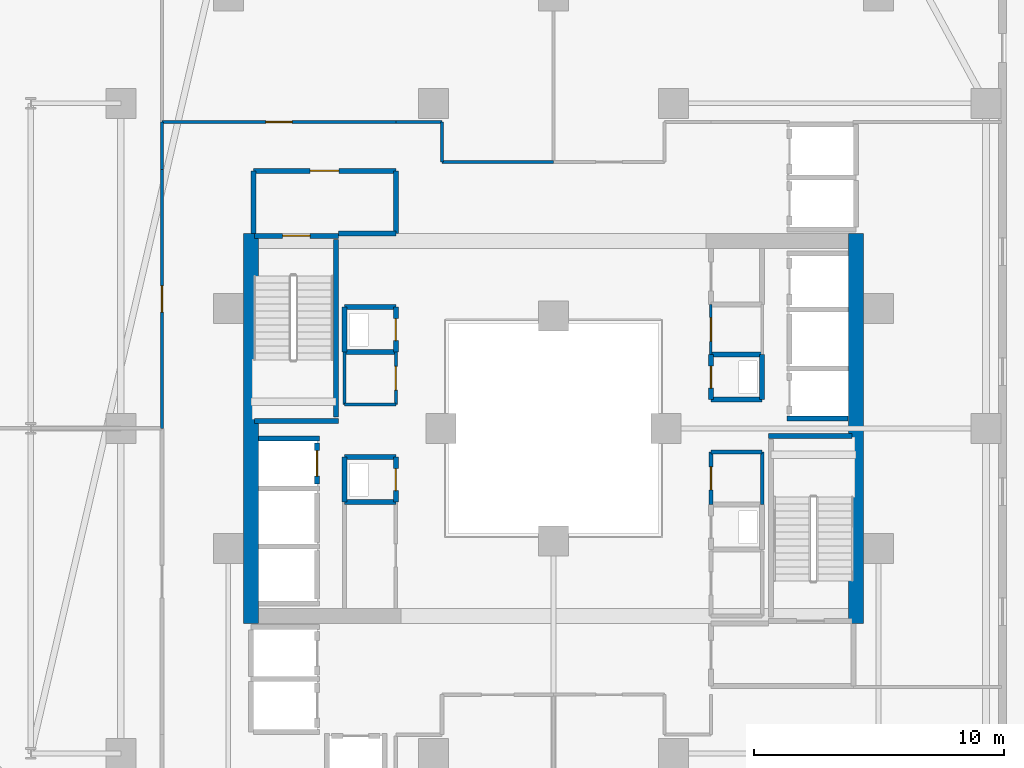
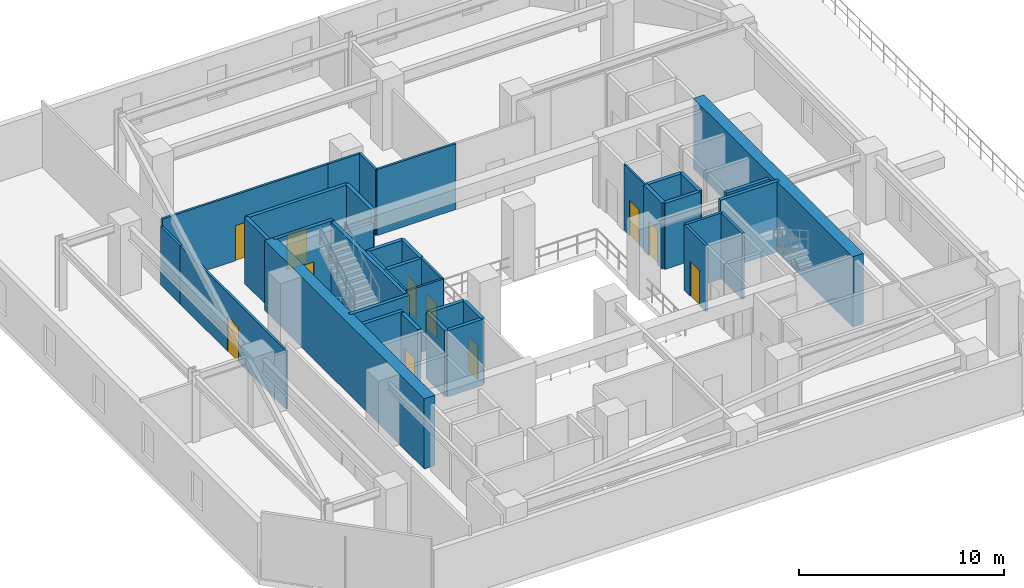
# One storey, part 21 of 30: 38 walls, 11 doors, 11 openings.
"""IFC4 building model written with IfcOpenShell, lengths in metres."""

from ifc_helpers import new_model, si_unit, direction, frame, frame_2d, origin, place, context, subcontext, project, spatial, rectangle, extrude, material, layer, layer_set, type_object, element, fill, save


model = new_model("IFC4")

# Units and contexts
model_context = context("Model", 3, precision=1e-05, world=origin(), true_north=direction((0.0, 1.0)))
body_context = subcontext(model_context, "Body", "Model", "MODEL_VIEW")
ifc_project = project(units=[si_unit("LENGTHUNIT", "METRE"), si_unit("AREAUNIT", "SQUARE_METRE"), si_unit("VOLUMEUNIT", "CUBIC_METRE"), si_unit("PLANEANGLEUNIT", "RADIAN"), si_unit("MASSUNIT", "GRAM", prefix="KILO")], contexts=[model_context])

# Site, building, storey
site_placement = place(None, origin())
site = spatial("IfcSite", under=ifc_project, at=site_placement, CompositionType="ELEMENT")
building_placement = place(site_placement, origin())
building = spatial("IfcBuilding", under=site, at=building_placement, Name="Thornwick Lancets Civic Towers", CompositionType="ELEMENT")
storey_placement = place(building_placement, frame((0.0, 0.0, 75.89990234375)))
storey = spatial("IfcBuildingStorey", under=building, at=storey_placement, Name="L19", CompositionType="ELEMENT", Elevation=75.89990234375)

# Wall, opening, door
ifc_material_1 = material(Name="Concrete blockwork C40/50", Category="masonry")
ifc_layer_1 = layer(ifc_material_1, 0.199951171875, Name="Concrete blockwork C40/50")
ifc_layer_set_1 = layer_set([ifc_layer_1], Name="Concrete blockwork C40/50")
wall_type_1 = type_object("IfcWallType", Name="WALL_COMP_200", PredefinedType="STANDARD", material=ifc_layer_set_1)
wall_1_placement = place(storey_placement, frame((79.050048828125, 24.780029296875, 0.0), z_axis=(0.0, 0.0, 1.0), x_axis=(0.0, 1.0, 0.0)))
wall_1 = element("IfcWall", 1, at=wall_1_placement, inside=storey, type_object=wall_type_1, Name="L19 Hoistway Front Wall FL-B2", PredefinedType="STANDARD", context=body_context, shape_type="SweptSolid", body=[
    extrude(rectangle(XDim=1.639892578125, YDim=0.199951171875, at=frame_2d((0.81982421875, 0.0))), origin(), (0.0, 0.0, 1.0), 3.940185546875),
])
opening_1_placement = place(wall_1_placement, frame((0.31005859375, 0.0, 0.0)))
opening_1 = element("IfcOpeningElement", 2, at=opening_1_placement, cuts=wall_1, Name="Opening LD-FL-B2", PredefinedType="OPENING", context=body_context, shape_type="SweptSolid", body=[
    extrude(rectangle(XDim=1.02001953125, YDim=2.06005859375, at=frame_2d((0.510009765625, 1.030029296875))), frame((0.0, 0.10986328125, 0.0), z_axis=(0.0, -1.0, 0.0), x_axis=(1.0, 0.0, 0.0)), (0.0, 0.0, 1.0), 0.219970703125),
])
ifc_material_2 = material(Name="Brushed bronze stainless steel", Category="steel")
door_type_1 = type_object("IfcDoorType", Name="DOOR_LIFT_SLIDE", OperationType="SLIDING_TO_LEFT", PredefinedType="DOOR", material=ifc_material_2)
door_1_placement = place(opening_1_placement, origin())
door_1 = element("IfcDoor", 3, at=door_1_placement, inside=storey, type_object=door_type_1, Name="L19 Sliding Lift Landing Door LD-FL-B2", OperationType="SLIDING_TO_LEFT", OverallHeight=2.06005859375, OverallWidth=1.02001953125, PredefinedType="DOOR", context=body_context, shape_type="SweptSolid", body=[
    extrude(rectangle(XDim=1.02001953125, YDim=2.06005859375, at=frame_2d((0.510009765625, 1.030029296875))), frame((0.0, 0.02490234375, 0.0), z_axis=(0.0, -1.0, 0.0), x_axis=(1.0, 0.0, 0.0)), (0.0, 0.0, 1.0), 0.050048828125),
])
fill(opening_1, door_1)

# Walls
for number, where, z_axis, x_axis, name in (
    (4, (97.85205078125, 27.39990234375, 0.0), (0.0, 0.0, 1.0), (1.0, 0.0, 0.0), "L19 Hoistway Shaft Wall FL-B1 S"),
    (5, (76.7119140625, 26.60009765625, 0.0), (0.0, 0.0, 1.0), (1.0, 0.0, 0.0), "L19 Hoistway Shaft Wall FL-B2 N"),
):
    element("IfcWall", number, at=place(storey_placement, frame(where, z_axis=z_axis, x_axis=x_axis)), inside=storey, type_object=wall_type_1, Name=name, PredefinedType="STANDARD", context=body_context, shape_type="SweptSolid", body=[
        extrude(rectangle(XDim=2.43603515625, YDim=0.199951171875, at=frame_2d((1.218017578125, 0.0))), origin(), (0.0, 0.0, 1.0), 3.940185546875),
    ])
wall_2_placement = place(storey_placement, frame((79.89990234375, 34.800048828125, 0.0), z_axis=(0.0, 0.0, 1.0), x_axis=(1.0, 0.0, 0.0)))
element("IfcWall", 6, at=wall_2_placement, inside=storey, type_object=wall_type_1, Name="L19 Partition L19-B-FFLOB2 E1", PredefinedType="STANDARD", context=body_context, shape_type="SweptSolid", body=[
    extrude(rectangle(XDim=2.300048828125, YDim=0.199951171875, at=frame_2d((1.14990234375, 0.0))), origin(), (0.0, 0.0, 1.0), 3.14501953125),
])
wall_3_placement = place(storey_placement, frame((82.199951171875, 34.800048828125, 0.0), z_axis=(0.0, 0.0, 1.0), x_axis=(0.0, 1.0, 0.0)))
element("IfcWall", 7, at=wall_3_placement, inside=storey, type_object=wall_type_1, Name="L19 Partition L19-B-FFLOB2 E2", PredefinedType="STANDARD", context=body_context, shape_type="SweptSolid", body=[
    extrude(rectangle(XDim=2.5, YDim=0.199951171875, at=frame_2d((1.25, 0.0))), origin(), (0.0, 0.0, 1.0), 3.940185546875),
])

# Wall, opening, door
wall_4_placement = place(storey_placement, frame((82.199951171875, 37.300048828125, 0.0), z_axis=(0.0, 0.0, 1.0), x_axis=(-1.0, 0.0, 0.0)))
wall_4 = element("IfcWall", 8, at=wall_4_placement, inside=storey, type_object=wall_type_1, Name="L19 Partition L19-B-FFLOB2 E3", PredefinedType="STANDARD", context=body_context, shape_type="SweptSolid", body=[
    extrude(rectangle(XDim=5.699951171875, YDim=0.199951171875, at=frame_2d((2.85009765625, 0.0))), origin(), (0.0, 0.0, 1.0), 3.940185546875),
])
opening_2_placement = place(wall_4_placement, frame((2.27490234375, 0.0, 0.0)))
opening_2 = element("IfcOpeningElement", 9, at=opening_2_placement, cuts=wall_4, Name="Opening D-L19-0904", PredefinedType="OPENING", context=body_context, shape_type="SweptSolid", body=[
    extrude(rectangle(XDim=1.14990234375, YDim=2.10009765625, at=frame_2d((0.574951171875, 1.050048828125))), frame((0.0, 0.10986328125, 0.0), z_axis=(0.0, -1.0, 0.0), x_axis=(1.0, 0.0, 0.0)), (0.0, 0.0, 1.0), 0.219970703125),
])
ifc_material_3 = material(Name="Glazed fire-resisting steel", Category="steel")
door_type_2 = type_object("IfcDoorType", Name="DOOR_LOBBY_FD60", OperationType="NOTDEFINED", PredefinedType="DOOR", material=ifc_material_3)
door_2_placement = place(opening_2_placement, origin())
door_2 = element("IfcDoor", 10, at=door_2_placement, inside=storey, type_object=door_type_2, Name="L19 West Firefighting Lobby 2 Door", OperationType="SINGLE_SWING_LEFT", OverallHeight=2.10009765625, OverallWidth=1.14990234375, PredefinedType="DOOR", context=body_context, shape_type="SweptSolid", body=[
    extrude(rectangle(XDim=1.14990234375, YDim=2.10009765625, at=frame_2d((0.574951171875, 1.050048828125))), frame((0.0, 0.02490234375, 0.0), z_axis=(0.0, -1.0, 0.0), x_axis=(1.0, 0.0, 0.0)), (0.0, 0.0, 1.0), 0.050048828125),
])
fill(opening_2, door_2)

# Walls
wall_5_placement = place(storey_placement, frame((76.5, 37.300048828125, 0.0), z_axis=(0.0, 0.0, 1.0), x_axis=(0.0, -1.0, 0.0)))
element("IfcWall", 11, at=wall_5_placement, inside=storey, type_object=wall_type_1, Name="L19 Partition L19-B-FFLOB2 E4", PredefinedType="STANDARD", context=body_context, shape_type="SweptSolid", body=[
    extrude(rectangle(XDim=2.5, YDim=0.199951171875, at=frame_2d((1.25, 0.0))), origin(), (0.0, 0.0, 1.0), 3.940185546875),
])
wall_6_placement = place(storey_placement, frame((94.800048828125, 28.14990234375, 0.0), z_axis=(0.0, 0.0, 1.0), x_axis=(1.0, 0.0, 0.0)))
element("IfcWall", 12, at=wall_6_placement, inside=storey, type_object=wall_type_1, Name="L19 Partition L19-B-DUCT1 E1", PredefinedType="STANDARD", context=body_context, shape_type="SweptSolid", body=[
    extrude(rectangle(XDim=2.050048828125, YDim=0.199951171875, at=frame_2d((1.02490234375, 0.0))), origin(), (0.0, 0.0, 1.0), 3.940185546875),
])
wall_7_placement = place(storey_placement, frame((96.85009765625, 28.14990234375, 0.0), z_axis=(0.0, 0.0, 1.0), x_axis=(0.0, 1.0, 0.0)))
element("IfcWall", 13, at=wall_7_placement, inside=storey, type_object=wall_type_1, Name="L19 Partition L19-B-DUCT1 E2", PredefinedType="STANDARD", context=body_context, shape_type="SweptSolid", body=[
    extrude(rectangle(XDim=1.800048828125, YDim=0.199951171875, at=frame_2d((0.89990234375, 0.0))), origin(), (0.0, 0.0, 1.0), 3.940185546875),
])
wall_8_placement = place(storey_placement, frame((96.85009765625, 29.949951171875, 0.0), z_axis=(0.0, 0.0, 1.0), x_axis=(-1.0, 0.0, 0.0)))
element("IfcWall", 14, at=wall_8_placement, inside=storey, type_object=wall_type_1, Name="L19 Partition L19-B-DUCT1 E3", PredefinedType="STANDARD", context=body_context, shape_type="SweptSolid", body=[
    extrude(rectangle(XDim=2.050048828125, YDim=0.199951171875, at=frame_2d((1.02490234375, 0.0))), origin(), (0.0, 0.0, 1.0), 3.940185546875),
])

# Wall, opening, door
wall_9_placement = place(storey_placement, frame((94.800048828125, 29.949951171875, 0.0), z_axis=(0.0, 0.0, 1.0), x_axis=(0.0, -1.0, 0.0)))
wall_9 = element("IfcWall", 15, at=wall_9_placement, inside=storey, type_object=wall_type_1, Name="L19 Partition L19-B-DUCT1 E4", PredefinedType="STANDARD", context=body_context, shape_type="SweptSolid", body=[
    extrude(rectangle(XDim=1.800048828125, YDim=0.199951171875, at=frame_2d((0.89990234375, 0.0))), origin(), (0.0, 0.0, 1.0), 3.940185546875),
])
opening_3_placement = place(wall_9_placement, frame((0.4599609375, 0.0, 0.0)))
opening_3 = element("IfcOpeningElement", 16, at=opening_3_placement, cuts=wall_9, Name="Opening D-L19-0905", PredefinedType="OPENING", context=body_context, shape_type="SweptSolid", body=[
    extrude(rectangle(XDim=0.8798828125, YDim=2.0400390625, at=frame_2d((0.43994140625, 1.02001953125))), frame((0.0, 0.10986328125, 0.0), z_axis=(0.0, -1.0, 0.0), x_axis=(1.0, 0.0, 0.0)), (0.0, 0.0, 1.0), 0.219970703125),
])
ifc_material_4 = material(Name="Steel riser access doorset", Category="steel")
door_type_3 = type_object("IfcDoorType", Name="DOOR_RISER_850", OperationType="NOTDEFINED", PredefinedType="DOOR", material=ifc_material_4)
door_3_placement = place(opening_3_placement, origin())
door_3 = element("IfcDoor", 17, at=door_3_placement, inside=storey, type_object=door_type_3, Name="L19 East Service Duct 1 Door", OperationType="SINGLE_SWING_RIGHT", OverallHeight=2.0400390625, OverallWidth=0.8798828125, PredefinedType="DOOR", context=body_context, shape_type="SweptSolid", body=[
    extrude(rectangle(XDim=0.8798828125, YDim=2.0400390625, at=frame_2d((0.43994140625, 1.02001953125))), frame((0.0, 0.02490234375, 0.0), z_axis=(0.0, -1.0, 0.0), x_axis=(1.0, 0.0, 0.0)), (0.0, 0.0, 1.0), 0.050048828125),
])
fill(opening_3, door_3)

# Wall
wall_10_placement = place(storey_placement, frame((80.14990234375, 24.050048828125, 0.0), z_axis=(0.0, 0.0, 1.0), x_axis=(1.0, 0.0, 0.0)))
element("IfcWall", 18, at=wall_10_placement, inside=storey, type_object=wall_type_1, Name="L19 Partition L19-B-DUCT2 E1", PredefinedType="STANDARD", context=body_context, shape_type="SweptSolid", body=[
    extrude(rectangle(XDim=2.050048828125, YDim=0.199951171875, at=frame_2d((1.02490234375, 0.0))), origin(), (0.0, 0.0, 1.0), 3.940185546875),
])

# Wall, opening, door
wall_11_placement = place(storey_placement, frame((82.199951171875, 24.050048828125, 0.0), z_axis=(0.0, 0.0, 1.0), x_axis=(0.0, 1.0, 0.0)))
wall_11 = element("IfcWall", 19, at=wall_11_placement, inside=storey, type_object=wall_type_1, Name="L19 Partition L19-B-DUCT2 E2", PredefinedType="STANDARD", context=body_context, shape_type="SweptSolid", body=[
    extrude(rectangle(XDim=1.800048828125, YDim=0.199951171875, at=frame_2d((0.89990234375, 0.0))), origin(), (0.0, 0.0, 1.0), 3.940185546875),
])
opening_4_placement = place(wall_11_placement, frame((0.4599609375, 0.0, 0.0)))
opening_4 = element("IfcOpeningElement", 20, at=opening_4_placement, cuts=wall_11, Name="Opening D-L19-0907", PredefinedType="OPENING", context=body_context, shape_type="SweptSolid", body=[
    extrude(rectangle(XDim=0.8798828125, YDim=2.0400390625, at=frame_2d((0.43994140625, 1.02001953125))), frame((0.0, 0.10986328125, 0.0), z_axis=(0.0, -1.0, 0.0), x_axis=(1.0, 0.0, 0.0)), (0.0, 0.0, 1.0), 0.219970703125),
])
door_4_placement = place(opening_4_placement, origin())
door_4 = element("IfcDoor", 21, at=door_4_placement, inside=storey, type_object=door_type_3, Name="L19 West Service Duct 2 Door", OperationType="SINGLE_SWING_RIGHT", OverallHeight=2.0400390625, OverallWidth=0.8798828125, PredefinedType="DOOR", context=body_context, shape_type="SweptSolid", body=[
    extrude(rectangle(XDim=0.8798828125, YDim=2.0400390625, at=frame_2d((0.43994140625, 1.02001953125))), frame((0.0, 0.02490234375, 0.0), z_axis=(0.0, -1.0, 0.0), x_axis=(1.0, 0.0, 0.0)), (0.0, 0.0, 1.0), 0.050048828125),
])
fill(opening_4, door_4)

# Walls
wall_12_placement = place(storey_placement, frame((82.199951171875, 25.85009765625, 0.0), z_axis=(0.0, 0.0, 1.0), x_axis=(-1.0, 0.0, 0.0)))
element("IfcWall", 22, at=wall_12_placement, inside=storey, type_object=wall_type_1, Name="L19 Partition L19-B-DUCT2 E3", PredefinedType="STANDARD", context=body_context, shape_type="SweptSolid", body=[
    extrude(rectangle(XDim=2.050048828125, YDim=0.199951171875, at=frame_2d((1.02490234375, 0.0))), origin(), (0.0, 0.0, 1.0), 3.940185546875),
])
wall_13_placement = place(storey_placement, frame((80.14990234375, 25.85009765625, 0.0), z_axis=(0.0, 0.0, 1.0), x_axis=(0.0, -1.0, 0.0)))
element("IfcWall", 23, at=wall_13_placement, inside=storey, type_object=wall_type_1, Name="L19 Partition L19-B-DUCT2 E4", PredefinedType="STANDARD", context=body_context, shape_type="SweptSolid", body=[
    extrude(rectangle(XDim=1.800048828125, YDim=0.199951171875, at=frame_2d((0.89990234375, 0.0))), origin(), (0.0, 0.0, 1.0), 3.940185546875),
])
wall_14_placement = place(storey_placement, frame((80.14990234375, 30.050048828125, 0.0), z_axis=(0.0, 0.0, 1.0), x_axis=(1.0, 0.0, 0.0)))
element("IfcWall", 24, at=wall_14_placement, inside=storey, type_object=wall_type_1, Name="L19 Partition L19-B-RISER2 E1", PredefinedType="STANDARD", context=body_context, shape_type="SweptSolid", body=[
    extrude(rectangle(XDim=2.050048828125, YDim=0.199951171875, at=frame_2d((1.02490234375, 0.0))), origin(), (0.0, 0.0, 1.0), 3.940185546875),
])

# Wall, opening, door
wall_15_placement = place(storey_placement, frame((82.199951171875, 30.050048828125, 0.0), z_axis=(0.0, 0.0, 1.0), x_axis=(0.0, 1.0, 0.0)))
wall_15 = element("IfcWall", 25, at=wall_15_placement, inside=storey, type_object=wall_type_1, Name="L19 Partition L19-B-RISER2 E2", PredefinedType="STANDARD", context=body_context, shape_type="SweptSolid", body=[
    extrude(rectangle(XDim=1.800048828125, YDim=0.199951171875, at=frame_2d((0.89990234375, 0.0))), origin(), (0.0, 0.0, 1.0), 3.940185546875),
])
opening_5_placement = place(wall_15_placement, frame((0.4599609375, 0.0, 0.0)))
opening_5 = element("IfcOpeningElement", 26, at=opening_5_placement, cuts=wall_15, Name="Opening D-L19-0908", PredefinedType="OPENING", context=body_context, shape_type="SweptSolid", body=[
    extrude(rectangle(XDim=0.8798828125, YDim=2.0400390625, at=frame_2d((0.43994140625, 1.02001953125))), frame((0.0, 0.10986328125, 0.0), z_axis=(0.0, -1.0, 0.0), x_axis=(1.0, 0.0, 0.0)), (0.0, 0.0, 1.0), 0.219970703125),
])
door_5_placement = place(opening_5_placement, origin())
door_5 = element("IfcDoor", 27, at=door_5_placement, inside=storey, type_object=door_type_3, Name="L19 West Service Riser 2 Door", OperationType="SINGLE_SWING_LEFT", OverallHeight=2.0400390625, OverallWidth=0.8798828125, PredefinedType="DOOR", context=body_context, shape_type="SweptSolid", body=[
    extrude(rectangle(XDim=0.8798828125, YDim=2.0400390625, at=frame_2d((0.43994140625, 1.02001953125))), frame((0.0, 0.02490234375, 0.0), z_axis=(0.0, -1.0, 0.0), x_axis=(1.0, 0.0, 0.0)), (0.0, 0.0, 1.0), 0.050048828125),
])
fill(opening_5, door_5)

# Walls
wall_16_placement = place(storey_placement, frame((82.199951171875, 31.85009765625, 0.0), z_axis=(0.0, 0.0, 1.0), x_axis=(-1.0, 0.0, 0.0)))
element("IfcWall", 28, at=wall_16_placement, inside=storey, type_object=wall_type_1, Name="L19 Partition L19-B-RISER2 E3", PredefinedType="STANDARD", context=body_context, shape_type="SweptSolid", body=[
    extrude(rectangle(XDim=2.050048828125, YDim=0.199951171875, at=frame_2d((1.02490234375, 0.0))), origin(), (0.0, 0.0, 1.0), 3.940185546875),
])
wall_17_placement = place(storey_placement, frame((80.14990234375, 31.85009765625, 0.0), z_axis=(0.0, 0.0, 1.0), x_axis=(0.0, -1.0, 0.0)))
element("IfcWall", 29, at=wall_17_placement, inside=storey, type_object=wall_type_1, Name="L19 Partition L19-B-RISER2 E4", PredefinedType="STANDARD", context=body_context, shape_type="SweptSolid", body=[
    extrude(rectangle(XDim=1.800048828125, YDim=0.199951171875, at=frame_2d((0.89990234375, 0.0))), origin(), (0.0, 0.0, 1.0), 3.940185546875),
])
ifc_material_5 = material(Name="Concrete C60/75", Category="concrete")
ifc_layer_2 = layer(ifc_material_5, 0.60009765625, Name="Concrete C60/75")
ifc_layer_set_2 = layer_set([ifc_layer_2], Name="Concrete C60/75")
wall_type_2 = type_object("IfcWallType", Name="WALL_CORE_600", PredefinedType="SHEAR", material=ifc_layer_set_2)
for number, where, z_axis, x_axis, name in (
    (30, (100.60009765625, 19.199951171875, 0.0), (0.0, 0.0, 1.0), (0.0, 1.0, 0.0), "L19 Split Core B1 Shear Wall E"),
    (31, (76.39990234375, 19.199951171875, 0.0), (0.0, 0.0, 1.0), (0.0, 1.0, 0.0), "L19 Split Core B2 Shear Wall W"),
):
    element("IfcWall", number, at=place(storey_placement, frame(where, z_axis=z_axis, x_axis=x_axis)), inside=storey, type_object=wall_type_2, Name=name, PredefinedType="SHEAR", context=body_context, shape_type="SweptSolid", body=[
        extrude(rectangle(XDim=15.60009765625, YDim=0.60009765625, at=frame_2d((7.800048828125, 0.0))), origin(), (0.0, 0.0, 1.0), 4.2001953125),
    ])

# Wall, opening, door
ifc_material_6 = material(Name="Lightweight cellular office partition")
ifc_layer_3 = layer(ifc_material_6, 0.10009765625, Name="Lightweight cellular office partition")
ifc_layer_set_3 = layer_set([ifc_layer_3], Name="Lightweight cellular office partition")
wall_type_3 = type_object("IfcWallType", Name="WALL_PART_100", PredefinedType="PARTITIONING", material=ifc_layer_set_3)
wall_18_placement = place(storey_placement, frame((94.800048828125, 29.949951171875, 0.0), z_axis=(0.0, 0.0, 1.0), x_axis=(0.0, 1.0, 0.0)))
wall_18 = element("IfcWall", 32, at=wall_18_placement, inside=storey, type_object=wall_type_3, Name="L19 Partition L19-B-CLN E1", PredefinedType="PARTITIONING", context=body_context, shape_type="SweptSolid", body=[
    extrude(rectangle(XDim=2.0, YDim=0.10009765625, at=frame_2d((1.0, 0.0))), origin(), (0.0, 0.0, 1.0), 3.940185546875),
])
opening_6_placement = place(wall_18_placement, frame((0.52490234375, 0.0, 0.0)))
opening_6 = element("IfcOpeningElement", 33, at=opening_6_placement, cuts=wall_18, Name="Opening D-L19-0911", PredefinedType="OPENING", context=body_context, shape_type="SweptSolid", body=[
    extrude(rectangle(XDim=0.949951171875, YDim=2.10009765625, at=frame_2d((0.47509765625, 1.050048828125))), frame((0.0, 0.06005859375, 0.0), z_axis=(0.0, -1.0, 0.0), x_axis=(1.0, 0.0, 0.0)), (0.0, 0.0, 1.0), 0.1201171875),
])
ifc_material_7 = material(Name="European oak acoustic doorset")
door_type_4 = type_object("IfcDoorType", Name="DOOR_OFFICE_950", OperationType="NOTDEFINED", PredefinedType="DOOR", material=ifc_material_7)
door_6_placement = place(opening_6_placement, origin())
door_6 = element("IfcDoor", 34, at=door_6_placement, inside=storey, type_object=door_type_4, Name="L19 Tower B Cleaners Store Door", OperationType="SINGLE_SWING_RIGHT", OverallHeight=2.10009765625, OverallWidth=0.949951171875, PredefinedType="DOOR", context=body_context, shape_type="SweptSolid", body=[
    extrude(rectangle(XDim=0.949951171875, YDim=2.10009765625, at=frame_2d((0.47509765625, 1.050048828125))), frame((0.0, 0.02490234375, 0.0), z_axis=(0.0, -1.0, 0.0), x_axis=(1.0, 0.0, 0.0)), (0.0, 0.0, 1.0), 0.050048828125),
])
fill(opening_6, door_6)

# Walls
ifc_material_8 = material(Name="Acoustic gypsum board partition")
ifc_layer_4 = layer(ifc_material_8, 0.1201171875, Name="Acoustic gypsum board partition")
ifc_layer_set_4 = layer_set([ifc_layer_4], Name="Acoustic gypsum board partition")
wall_type_4 = type_object("IfcWallType", Name="WALL_PART_120", PredefinedType="PARTITIONING", material=ifc_layer_set_4)
wall_19_placement = place(storey_placement, frame((82.199951171875, 27.949951171875, 0.0), z_axis=(0.0, 0.0, 1.0), x_axis=(-1.0, 0.0, 0.0)))
element("IfcWall", 35, at=wall_19_placement, inside=storey, type_object=wall_type_4, Name="L19 Partition L19-B-ITR E1", PredefinedType="PARTITIONING", context=body_context, shape_type="SweptSolid", body=[
    extrude(rectangle(XDim=2.050048828125, YDim=0.1201171875, at=frame_2d((1.02490234375, 0.0))), origin(), (0.0, 0.0, 1.0), 3.940185546875),
])
wall_20_placement = place(storey_placement, frame((80.14990234375, 27.949951171875, 0.0), z_axis=(0.0, 0.0, 1.0), x_axis=(0.0, 1.0, 0.0)))
element("IfcWall", 36, at=wall_20_placement, inside=storey, type_object=wall_type_4, Name="L19 Partition L19-B-ITR E2", PredefinedType="PARTITIONING", context=body_context, shape_type="SweptSolid", body=[
    extrude(rectangle(XDim=2.10009765625, YDim=0.1201171875, at=frame_2d((1.050048828125, 0.0))), origin(), (0.0, 0.0, 1.0), 3.940185546875),
])

# Wall, opening, door
wall_21_placement = place(storey_placement, frame((82.199951171875, 30.050048828125, 0.0), z_axis=(0.0, 0.0, 1.0), x_axis=(0.0, -1.0, 0.0)))
wall_21 = element("IfcWall", 37, at=wall_21_placement, inside=storey, type_object=wall_type_4, Name="L19 Partition L19-B-ITR E4", PredefinedType="PARTITIONING", context=body_context, shape_type="SweptSolid", body=[
    extrude(rectangle(XDim=2.10009765625, YDim=0.1201171875, at=frame_2d((1.050048828125, 0.0))), origin(), (0.0, 0.0, 1.0), 3.940185546875),
])
opening_7_placement = place(wall_21_placement, frame((0.574951171875, 0.0, 0.0)))
opening_7 = element("IfcOpeningElement", 38, at=opening_7_placement, cuts=wall_21, Name="Opening D-L19-0914", PredefinedType="OPENING", context=body_context, shape_type="SweptSolid", body=[
    extrude(rectangle(XDim=0.949951171875, YDim=2.10009765625, at=frame_2d((0.47509765625, 1.050048828125))), frame((0.0, 0.070068359375, 0.0), z_axis=(0.0, -1.0, 0.0), x_axis=(1.0, 0.0, 0.0)), (0.0, 0.0, 1.0), 0.14013671875),
])
door_7_placement = place(opening_7_placement, origin())
door_7 = element("IfcDoor", 39, at=door_7_placement, inside=storey, type_object=door_type_4, Name="L19 Tower B Comms Patch Room Door", OperationType="SINGLE_SWING_LEFT", OverallHeight=2.10009765625, OverallWidth=0.949951171875, PredefinedType="DOOR", context=body_context, shape_type="SweptSolid", body=[
    extrude(rectangle(XDim=0.949951171875, YDim=2.10009765625, at=frame_2d((0.47509765625, 1.050048828125))), frame((0.0, 0.02490234375, 0.0), z_axis=(0.0, -1.0, 0.0), x_axis=(1.0, 0.0, 0.0)), (0.0, 0.0, 1.0), 0.050048828125),
])
fill(opening_7, door_7)

# Walls
wall_22_placement = place(storey_placement, frame((84.050048828125, 37.64990234375, 0.0), z_axis=(0.0, 0.0, 1.0), x_axis=(0.0, 1.0, 0.0)))
element("IfcWall", 40, at=wall_22_placement, inside=storey, type_object=wall_type_4, Name="L19 Partition L19-B-E2 E1", PredefinedType="PARTITIONING", context=body_context, shape_type="SweptSolid", body=[
    extrude(rectangle(XDim=1.60009765625, YDim=0.1201171875, at=frame_2d((0.800048828125, 0.0))), origin(), (0.0, 0.0, 1.0), 3.940185546875),
])
wall_23_placement = place(storey_placement, frame((84.050048828125, 39.25, 0.0), z_axis=(0.0, 0.0, 1.0), x_axis=(-1.0, 0.0, 0.0)))
element("IfcWall", 41, at=wall_23_placement, inside=storey, type_object=wall_type_4, Name="L19 Partition L19-B-E2 E2", PredefinedType="PARTITIONING", context=body_context, shape_type="SweptSolid", body=[
    extrude(rectangle(XDim=1.85009765625, YDim=0.1201171875, at=frame_2d((0.925048828125, 0.0))), origin(), (0.0, 0.0, 1.0), 3.940185546875),
])

# Wall, opening, door
wall_24_placement = place(storey_placement, frame((82.199951171875, 39.25, 0.0), z_axis=(0.0, 0.0, 1.0), x_axis=(-1.0, 0.0, 0.0)))
wall_24 = element("IfcWall", 42, at=wall_24_placement, inside=storey, type_object=wall_type_4, Name="L19 Partition L19-B-E2 E3", PredefinedType="PARTITIONING", context=body_context, shape_type="SweptSolid", body=[
    extrude(rectangle(XDim=9.349853515625, YDim=0.1201171875, at=frame_2d((4.6748046875, 0.0))), origin(), (0.0, 0.0, 1.0), 3.940185546875),
])
opening_8_placement = place(wall_24_placement, frame((4.14990234375, 0.0, 0.0)))
opening_8 = element("IfcOpeningElement", 43, at=opening_8_placement, cuts=wall_24, Name="Opening D-L19-0924", PredefinedType="OPENING", context=body_context, shape_type="SweptSolid", body=[
    extrude(rectangle(XDim=1.050048828125, YDim=2.10009765625, at=frame_2d((0.52490234375, 1.050048828125))), frame((0.0, 0.070068359375, 0.0), z_axis=(0.0, -1.0, 0.0), x_axis=(1.0, 0.0, 0.0)), (0.0, 0.0, 1.0), 0.14013671875),
])
ifc_material_9 = material(Name="Glazed European oak executive doorset")
door_type_5 = type_object("IfcDoorType", Name="DOOR_OFFICE_1050", OperationType="NOTDEFINED", PredefinedType="DOOR", material=ifc_material_9)
door_8_placement = place(opening_8_placement, origin())
door_8 = element("IfcDoor", 44, at=door_8_placement, inside=storey, type_object=door_type_5, Name="L19 Tower B Visitors Reception and Waiting Door", OperationType="SINGLE_SWING_LEFT", OverallHeight=2.10009765625, OverallWidth=1.050048828125, PredefinedType="DOOR", context=body_context, shape_type="SweptSolid", body=[
    extrude(rectangle(XDim=1.050048828125, YDim=2.10009765625, at=frame_2d((0.52490234375, 1.050048828125))), frame((0.0, 0.02490234375, 0.0), z_axis=(0.0, -1.0, 0.0), x_axis=(1.0, 0.0, 0.0)), (0.0, 0.0, 1.0), 0.050048828125),
])
fill(opening_8, door_8)

# Walls
wall_25_placement = place(storey_placement, frame((88.5, 37.64990234375, 0.0), z_axis=(0.0, 0.0, 1.0), x_axis=(-1.0, 0.0, 0.0)))
element("IfcWall", 45, at=wall_25_placement, inside=storey, type_object=wall_type_4, Name="L19 Partition L19-B-E2 E7", PredefinedType="PARTITIONING", context=body_context, shape_type="SweptSolid", body=[
    extrude(rectangle(XDim=4.449951171875, YDim=0.1201171875, at=frame_2d((2.22509765625, 0.0))), origin(), (0.0, 0.0, 1.0), 3.940185546875),
])
wall_26_placement = place(storey_placement, frame((72.85009765625, 39.25, 0.0), z_axis=(0.0, 0.0, 1.0), x_axis=(0.0, -1.0, 0.0)))
element("IfcWall", 46, at=wall_26_placement, inside=storey, type_object=wall_type_4, Name="L19 Partition L19-B-N-OFF E5", PredefinedType="PARTITIONING", context=body_context, shape_type="SweptSolid", body=[
    extrude(rectangle(XDim=1.89990234375, YDim=0.1201171875, at=frame_2d((0.949951171875, 0.0))), origin(), (0.0, 0.0, 1.0), 3.4951171875),
])

# Wall, opening, door
wall_27_placement = place(storey_placement, frame((72.85009765625, 37.35009765625, 0.0), z_axis=(0.0, 0.0, 1.0), x_axis=(0.0, -1.0, 0.0)))
wall_27 = element("IfcWall", 47, at=wall_27_placement, inside=storey, type_object=wall_type_4, Name="L19 Partition L19-B-N-OFF E6", PredefinedType="PARTITIONING", context=body_context, shape_type="SweptSolid", body=[
    extrude(rectangle(XDim=10.35009765625, YDim=0.1201171875, at=frame_2d((5.175048828125, 0.0))), origin(), (0.0, 0.0, 1.0), 3.4951171875),
])
opening_9_placement = place(wall_27_placement, frame((4.64990234375, 0.0, 0.0)))
opening_9 = element("IfcOpeningElement", 48, at=opening_9_placement, cuts=wall_27, Name="Opening D-L19-0926", PredefinedType="OPENING", context=body_context, shape_type="SweptSolid", body=[
    extrude(rectangle(XDim=1.050048828125, YDim=2.10009765625, at=frame_2d((0.52490234375, 1.050048828125))), frame((0.0, 0.070068359375, 0.0), z_axis=(0.0, -1.0, 0.0), x_axis=(1.0, 0.0, 0.0)), (0.0, 0.0, 1.0), 0.14013671875),
])
door_9_placement = place(opening_9_placement, origin())
door_9 = element("IfcDoor", 49, at=door_9_placement, inside=storey, type_object=door_type_5, Name="L19 Tower B North Policy Office Door", OperationType="SINGLE_SWING_LEFT", OverallHeight=2.10009765625, OverallWidth=1.050048828125, PredefinedType="DOOR", context=body_context, shape_type="SweptSolid", body=[
    extrude(rectangle(XDim=1.050048828125, YDim=2.10009765625, at=frame_2d((0.52490234375, 1.050048828125))), frame((0.0, 0.02490234375, 0.0), z_axis=(0.0, -1.0, 0.0), x_axis=(1.0, 0.0, 0.0)), (0.0, 0.0, 1.0), 0.050048828125),
])
fill(opening_9, door_9)

ifc_material_10 = material(Name="Twin-stud acoustic gypsum board")
ifc_layer_5 = layer(ifc_material_10, 0.14990234375, Name="Twin-stud acoustic gypsum board")
ifc_layer_set_5 = layer_set([ifc_layer_5], Name="Twin-stud acoustic gypsum board")
wall_type_5 = type_object("IfcWallType", Name="WALL_PART_150", PredefinedType="PARTITIONING", material=ifc_layer_set_5)
wall_28_placement = place(storey_placement, frame((94.800048828125, 23.949951171875, 0.0), z_axis=(0.0, 0.0, 1.0), x_axis=(0.0, 1.0, 0.0)))
wall_28 = element("IfcWall", 50, at=wall_28_placement, inside=storey, type_object=wall_type_5, Name="L19 Partition L19-B-AWC E1", PredefinedType="PARTITIONING", context=body_context, shape_type="SweptSolid", body=[
    extrude(rectangle(XDim=2.10009765625, YDim=0.14990234375, at=frame_2d((1.050048828125, 0.0))), origin(), (0.0, 0.0, 1.0), 3.940185546875),
])
opening_10_placement = place(wall_28_placement, frame((0.590087890625, 0.0, 0.0)))
opening_10 = element("IfcOpeningElement", 51, at=opening_10_placement, cuts=wall_28, Name="Opening D-L19-0910", PredefinedType="OPENING", context=body_context, shape_type="SweptSolid", body=[
    extrude(rectangle(XDim=0.919921875, YDim=2.080078125, at=frame_2d((0.4599609375, 1.0400390625))), frame((0.0, 0.0849609375, 0.0), z_axis=(0.0, -1.0, 0.0), x_axis=(1.0, 0.0, 0.0)), (0.0, 0.0, 1.0), 0.169921875),
])
ifc_material_11 = material(Name="Moisture-resistant oak doorset")
door_type_6 = type_object("IfcDoorType", Name="DOOR_WC_900", OperationType="NOTDEFINED", PredefinedType="DOOR", material=ifc_material_11)
door_10_placement = place(opening_10_placement, origin())
door_10 = element("IfcDoor", 52, at=door_10_placement, inside=storey, type_object=door_type_6, Name="L19 Tower B Accessible WC Door", OperationType="SINGLE_SWING_LEFT", OverallHeight=2.080078125, OverallWidth=0.919921875, PredefinedType="DOOR", context=body_context, shape_type="SweptSolid", body=[
    extrude(rectangle(XDim=0.919921875, YDim=2.080078125, at=frame_2d((0.4599609375, 1.0400390625))), frame((0.0, 0.02490234375, 0.0), z_axis=(0.0, -1.0, 0.0), x_axis=(1.0, 0.0, 0.0)), (0.0, 0.0, 1.0), 0.050048828125),
])
fill(opening_10, door_10)

# Walls
wall_29_placement = place(storey_placement, frame((94.800048828125, 26.050048828125, 0.0), z_axis=(0.0, 0.0, 1.0), x_axis=(1.0, 0.0, 0.0)))
element("IfcWall", 53, at=wall_29_placement, inside=storey, type_object=wall_type_5, Name="L19 Partition L19-B-AWC E2", PredefinedType="PARTITIONING", context=body_context, shape_type="SweptSolid", body=[
    extrude(rectangle(XDim=2.050048828125, YDim=0.14990234375, at=frame_2d((1.02490234375, 0.0))), origin(), (0.0, 0.0, 1.0), 3.940185546875),
])
wall_30_placement = place(storey_placement, frame((96.85009765625, 26.050048828125, 0.0), z_axis=(0.0, 0.0, 1.0), x_axis=(0.0, -1.0, 0.0)))
element("IfcWall", 54, at=wall_30_placement, inside=storey, type_object=wall_type_5, Name="L19 Partition L19-B-AWC E3", PredefinedType="PARTITIONING", context=body_context, shape_type="SweptSolid", body=[
    extrude(rectangle(XDim=2.10009765625, YDim=0.14990234375, at=frame_2d((1.050048828125, 0.0))), origin(), (0.0, 0.0, 1.0), 3.940185546875),
])
ifc_material_12 = material(Name="Concrete C40/50", Category="concrete")
ifc_layer_6 = layer(ifc_material_12, 0.199951171875, Name="Concrete C40/50")
ifc_layer_set_6 = layer_set([ifc_layer_6], Name="Concrete C40/50")
wall_type_6 = type_object("IfcWallType", Name="WALL_SHAFT_200", PredefinedType="SHEAR", material=ifc_layer_set_6)
wall_31_placement = place(storey_placement, frame((97.10009765625, 26.699951171875, 0.0), z_axis=(0.0, 0.0, 1.0), x_axis=(1.0, 0.0, 0.0)))
element("IfcWall", 55, at=wall_31_placement, inside=storey, type_object=wall_type_6, Name="L19 ST-B1 Fire Stair Core Wall FAR", PredefinedType="SHEAR", context=body_context, shape_type="SweptSolid", body=[
    extrude(rectangle(XDim=3.349853515625, YDim=0.199951171875, at=frame_2d((1.6748046875, 0.0))), origin(), (0.0, 0.0, 1.0), 4.2001953125),
])

# Wall, opening, door
wall_32_placement = place(storey_placement, frame((76.550048828125, 34.699951171875, 0.0), z_axis=(0.0, 0.0, 1.0), x_axis=(1.0, 0.0, 0.0)))
wall_32 = element("IfcWall", 56, at=wall_32_placement, inside=storey, type_object=wall_type_6, Name="L19 ST-B2 Fire Stair Core Wall NEAR", PredefinedType="SHEAR", context=body_context, shape_type="SweptSolid", body=[
    extrude(rectangle(XDim=3.349853515625, YDim=0.199951171875, at=frame_2d((1.6748046875, 0.0))), origin(), (0.0, 0.0, 1.0), 4.2001953125),
])
opening_11_placement = place(wall_32_placement, frame((1.125, 0.0, 0.0)))
opening_11 = element("IfcOpeningElement", 57, at=opening_11_placement, cuts=wall_32, Name="Opening D-ST-B2-L19", PredefinedType="OPENING", context=body_context, shape_type="SweptSolid", body=[
    extrude(rectangle(XDim=1.10009765625, YDim=2.10009765625, at=frame_2d((0.550048828125, 1.050048828125))), frame((0.0, 0.10986328125, 0.0), z_axis=(0.0, -1.0, 0.0), x_axis=(1.0, 0.0, 0.0)), (0.0, 0.0, 1.0), 0.219970703125),
])
ifc_material_13 = material(Name="Fire-resisting steel and hardwood", Category="steel")
door_type_7 = type_object("IfcDoorType", Name="DOOR_STAIR_FD60", OperationType="NOTDEFINED", PredefinedType="DOOR", material=ifc_material_13)
door_11_placement = place(opening_11_placement, origin())
door_11 = element("IfcDoor", 58, at=door_11_placement, inside=storey, type_object=door_type_7, Name="L19 ST-B2 Exit Stair Door", OperationType="SINGLE_SWING_LEFT", OverallHeight=2.10009765625, OverallWidth=1.10009765625, PredefinedType="DOOR", context=body_context, shape_type="SweptSolid", body=[
    extrude(rectangle(XDim=1.10009765625, YDim=2.10009765625, at=frame_2d((0.550048828125, 1.050048828125))), frame((0.0, 0.02490234375, 0.0), z_axis=(0.0, -1.0, 0.0), x_axis=(1.0, 0.0, 0.0)), (0.0, 0.0, 1.0), 0.050048828125),
])
fill(opening_11, door_11)

# Walls
wall_33_placement = place(storey_placement, frame((79.89990234375, 27.300048828125, 0.0), z_axis=(0.0, 0.0, 1.0), x_axis=(-1.0, 0.0, 0.0)))
element("IfcWall", 59, at=wall_33_placement, inside=storey, type_object=wall_type_6, Name="L19 ST-B2 Fire Stair Core Wall FAR", PredefinedType="SHEAR", context=body_context, shape_type="SweptSolid", body=[
    extrude(rectangle(XDim=3.349853515625, YDim=0.199951171875, at=frame_2d((1.6748046875, 0.0))), origin(), (0.0, 0.0, 1.0), 4.2001953125),
])
wall_34_placement = place(storey_placement, frame((79.797119140625, 27.449951171875, 0.0), z_axis=(0.0, 0.0, 1.0), x_axis=(0.0, 1.0, 0.0)))
element("IfcWall", 60, at=wall_34_placement, inside=storey, type_object=wall_type_6, Name="L19 ST-B2 Fire Stair Core Wall RIGHT", PredefinedType="SHEAR", context=body_context, shape_type="SweptSolid", body=[
    extrude(rectangle(XDim=7.10009765625, YDim=0.199951171875, at=frame_2d((3.550048828125, 0.0))), origin(), (0.0, 0.0, 1.0), 4.2001953125),
])

save(model, "model.ifc")
